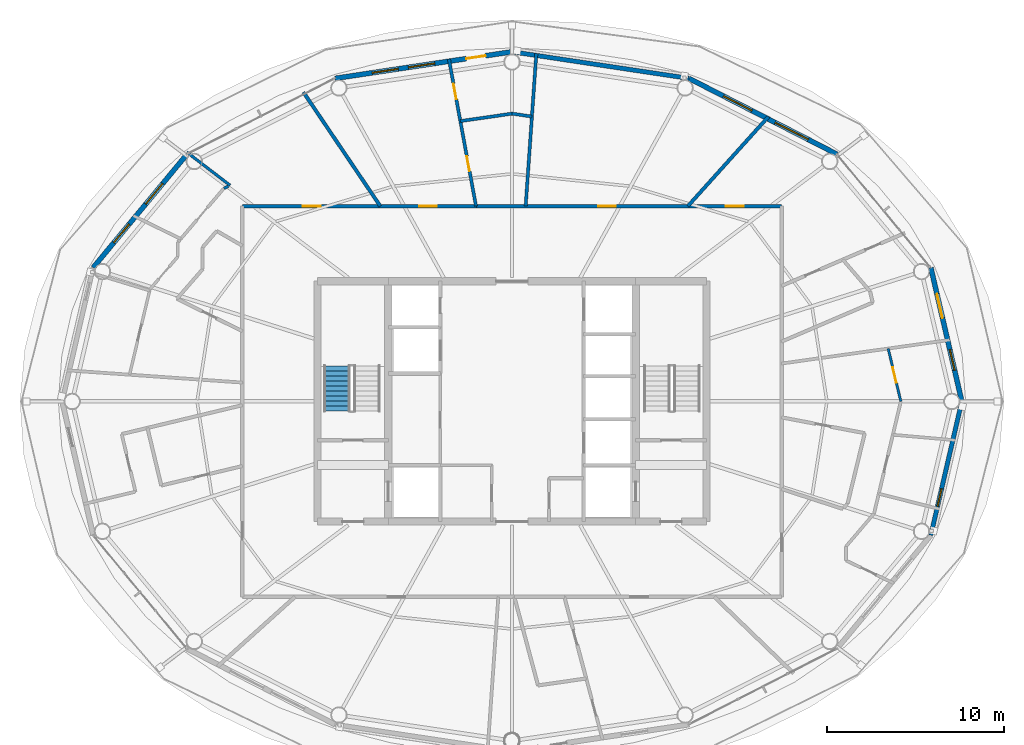
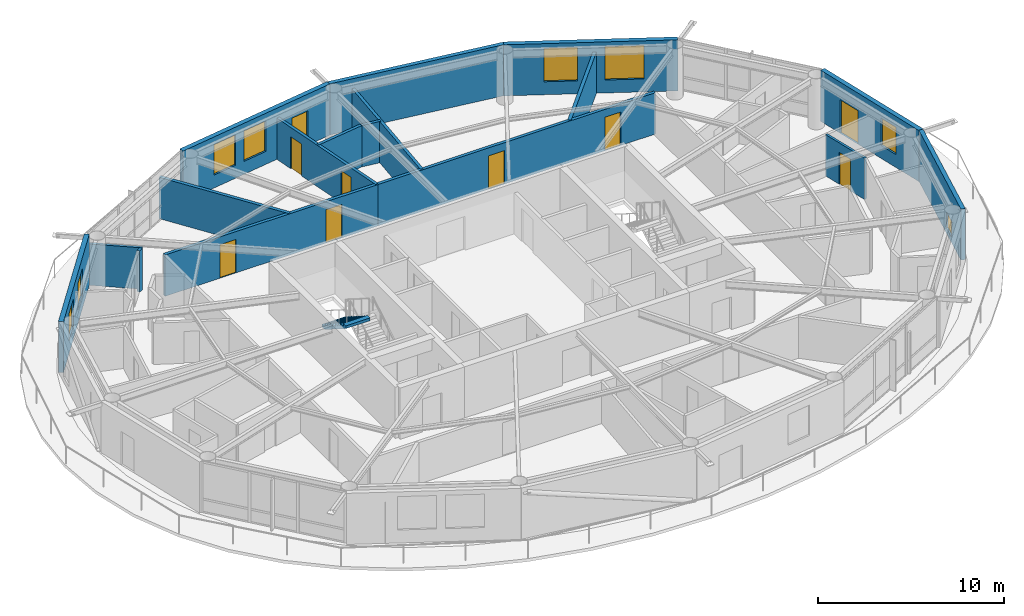
# One storey, part 18 of 22: 17 walls, 9 doors, 8 windows, 1 stair flight, 17 openings, 1 element without a shape of its own.
"""IFC4 building model written with IfcOpenShell, lengths in metres."""

from ifc_helpers import new_model, si_unit, direction, frame, frame_2d, origin, place, context, subcontext, project, spatial, polyline, rectangle, outline, extrude, material, layer, layer_set, type_object, element, fill, aggregate, save


model = new_model("IFC4")

# Units and contexts
model_context = context("Model", 3, precision=1e-05, world=origin(), true_north=direction((0.0, 1.0)))
body_context = subcontext(model_context, "Body", "Model", "MODEL_VIEW")
ifc_project = project(units=[si_unit("LENGTHUNIT", "METRE"), si_unit("AREAUNIT", "SQUARE_METRE"), si_unit("VOLUMEUNIT", "CUBIC_METRE"), si_unit("PLANEANGLEUNIT", "RADIAN"), si_unit("MASSUNIT", "GRAM", prefix="KILO")], contexts=[model_context])

# Site, building, storey
site_placement = place(None, origin())
site = spatial("IfcSite", under=ifc_project, at=site_placement, CompositionType="ELEMENT")
building_placement = place(site_placement, origin())
building = spatial("IfcBuilding", under=site, at=building_placement, Name="Sarneth Arch Tower", CompositionType="ELEMENT")
storey_placement = place(building_placement, frame((0.0, 0.0, 210.0)))
storey = spatial("IfcBuildingStorey", under=building, at=storey_placement, Name="L53", CompositionType="ELEMENT", Elevation=210.0)

# Wall, openings, doors
ifc_material_1 = material(Name="Double steel-stud corridor fire wall", Category="steel")
ifc_layer_1 = layer(ifc_material_1, 0.18994140625)
ifc_layer_set_1 = layer_set([ifc_layer_1], Name="Double steel-stud corridor fire wall")
wall_type_1 = type_object("IfcWallType", Name="WALL-CORR-190", PredefinedType="PARTITIONING", material=ifc_layer_set_1)
wall_1_placement = place(storey_placement, frame((45.931396484375, 53.050048828125, 0.0), z_axis=(0.0, 0.0, 1.0), x_axis=(1.0, 0.0, 0.0)))
wall_1 = element("IfcWall", 1, at=wall_1_placement, inside=storey, type_object=wall_type_1, Name="L53 Interior partition W-L53-TP-005", PredefinedType="PARTITIONING", context=body_context, shape_type="SweptSolid", body=[
    extrude(rectangle(XDim=17.318603515625, YDim=0.18994140625, at=frame_2d((8.6591796875, 0.0))), origin(), (0.0, 0.0, 1.0), 2.719970703125),
])
opening_1_placement = place(wall_1_placement, frame((6.93505859375, 0.0, 0.0)))
opening_1 = element("IfcOpeningElement", 2, at=opening_1_placement, cuts=wall_1, Name="Opening FD-08", PredefinedType="OPENING", context=body_context, shape_type="SweptSolid", body=[
    extrude(rectangle(XDim=1.0, YDim=2.199951171875, at=frame_2d((0.5, 1.10009765625))), frame((0.0, 0.10498046875, 0.0), z_axis=(0.0, -1.0, 0.0), x_axis=(1.0, 0.0, 0.0)), (0.0, 0.0, 1.0), 0.2099609375),
])
opening_2_placement = place(wall_1_placement, frame((14.168212890625, 0.0, 0.0)))
opening_2 = element("IfcOpeningElement", 3, at=opening_2_placement, cuts=wall_1, Name="Opening FD-08", PredefinedType="OPENING", context=body_context, shape_type="SweptSolid", body=[
    extrude(rectangle(XDim=1.0, YDim=2.199951171875, at=frame_2d((0.5, 1.10009765625))), frame((0.0, 0.10498046875, 0.0), z_axis=(0.0, -1.0, 0.0), x_axis=(1.0, 0.0, 0.0)), (0.0, 0.0, 1.0), 0.2099609375),
])
ifc_material_2 = material(Name="Hardwood timber acoustic fire door", Category="wood")
door_type_1 = type_object("IfcDoorType", Name="DR-FD60-1000", OperationType="SINGLE_SWING_LEFT", PredefinedType="DOOR", material=ifc_material_2)
door_1_placement = place(opening_1_placement, origin())
door_1 = element("IfcDoor", 4, at=door_1_placement, inside=storey, type_object=door_type_1, Name="L53 Interior door DR-L53-RAMN-02", OperationType="SINGLE_SWING_LEFT", OverallHeight=2.199951171875, OverallWidth=1.0, PredefinedType="DOOR", context=body_context, shape_type="SweptSolid", body=[
    extrude(rectangle(XDim=1.0, YDim=2.199951171875, at=frame_2d((0.5, 1.10009765625))), frame((0.0, 0.02490234375, 0.0), z_axis=(0.0, -1.0, 0.0), x_axis=(1.0, 0.0, 0.0)), (0.0, 0.0, 1.0), 0.050048828125),
])
fill(opening_1, door_1)
door_2_placement = place(opening_2_placement, origin())
door_2 = element("IfcDoor", 5, at=door_2_placement, inside=storey, type_object=door_type_1, Name="L53 Interior door DR-L53-U1-ENT", OperationType="SINGLE_SWING_LEFT", OverallHeight=2.199951171875, OverallWidth=1.0, PredefinedType="DOOR", context=body_context, shape_type="SweptSolid", body=[
    extrude(rectangle(XDim=1.0, YDim=2.199951171875, at=frame_2d((0.5, 1.10009765625))), frame((0.0, 0.02490234375, 0.0), z_axis=(0.0, -1.0, 0.0), x_axis=(1.0, 0.0, 0.0)), (0.0, 0.0, 1.0), 0.050048828125),
])
fill(opening_2, door_2)

wall_2_placement = place(storey_placement, frame((32.75, 53.050048828125, 0.0), z_axis=(0.0, 0.0, 1.0), x_axis=(1.0, 0.0, 0.0)))
wall_2 = element("IfcWall", 6, at=wall_2_placement, inside=storey, type_object=wall_type_1, Name="L53 Interior partition W-L53-TP-010", PredefinedType="PARTITIONING", context=body_context, shape_type="SweptSolid", body=[
    extrude(rectangle(XDim=13.24658203125, YDim=0.18994140625, at=frame_2d((6.623291015625, 0.0))), origin(), (0.0, 0.0, 1.0), 2.719970703125),
])
opening_3_placement = place(wall_2_placement, frame((3.41748046875, 0.0, 0.0)))
opening_3 = element("IfcOpeningElement", 7, at=opening_3_placement, cuts=wall_2, Name="Opening FD-08", PredefinedType="OPENING", context=body_context, shape_type="SweptSolid", body=[
    extrude(rectangle(XDim=1.0, YDim=2.199951171875, at=frame_2d((0.5, 1.10009765625))), frame((0.0, 0.10498046875, 0.0), z_axis=(0.0, -1.0, 0.0), x_axis=(1.0, 0.0, 0.0)), (0.0, 0.0, 1.0), 0.2099609375),
])
opening_4_placement = place(wall_2_placement, frame((10.002197265625, 0.0, 0.0)))
opening_4 = element("IfcOpeningElement", 8, at=opening_4_placement, cuts=wall_2, Name="Opening FD-08", PredefinedType="OPENING", context=body_context, shape_type="SweptSolid", body=[
    extrude(rectangle(XDim=1.0, YDim=2.199951171875, at=frame_2d((0.5, 1.10009765625))), frame((0.0, 0.10498046875, 0.0), z_axis=(0.0, -1.0, 0.0), x_axis=(1.0, 0.0, 0.0)), (0.0, 0.0, 1.0), 0.2099609375),
])
door_3_placement = place(opening_3_placement, origin())
door_3 = element("IfcDoor", 9, at=door_3_placement, inside=storey, type_object=door_type_1, Name="L53 Interior door DR-L53-U4-ENT", OperationType="SINGLE_SWING_RIGHT", OverallHeight=2.199951171875, OverallWidth=1.0, PredefinedType="DOOR", context=body_context, shape_type="SweptSolid", body=[
    extrude(rectangle(XDim=1.0, YDim=2.199951171875, at=frame_2d((0.5, 1.10009765625))), frame((0.0, 0.02490234375, 0.0), z_axis=(0.0, -1.0, 0.0), x_axis=(1.0, 0.0, 0.0)), (0.0, 0.0, 1.0), 0.050048828125),
])
fill(opening_3, door_3)
door_4_placement = place(opening_4_placement, origin())
door_4 = element("IfcDoor", 10, at=door_4_placement, inside=storey, type_object=door_type_1, Name="L53 Interior door DR-L53-U3-ENT", OperationType="SINGLE_SWING_RIGHT", OverallHeight=2.199951171875, OverallWidth=1.0, PredefinedType="DOOR", context=body_context, shape_type="SweptSolid", body=[
    extrude(rectangle(XDim=1.0, YDim=2.199951171875, at=frame_2d((0.5, 1.10009765625))), frame((0.0, 0.02490234375, 0.0), z_axis=(0.0, -1.0, 0.0), x_axis=(1.0, 0.0, 0.0)), (0.0, 0.0, 1.0), 0.050048828125),
])
fill(opening_4, door_4)

# Wall
ifc_material_3 = material(Name="Extruded terracotta rainscreen on Concrete C40/50 backing", Category="masonry")
ifc_layer_2 = layer(ifc_material_3, 0.25)
ifc_layer_set_2 = layer_set([ifc_layer_2], Name="Extruded terracotta rainscreen on Concrete C40/50 backing")
wall_type_2 = type_object("IfcWallType", Name="WALL-EXT-SPAND-250", PredefinedType="SOLIDWALL", material=ifc_layer_set_2)
wall_3_placement = place(storey_placement, frame((58.0126953125, 60.2744140625, 0.0), z_axis=(0.0, 0.0, 1.0), x_axis=(-0.988882522213, 0.148698881169, 0.0)))
element("IfcWall", 11, at=wall_3_placement, inside=storey, type_object=wall_type_2, Name="L53 Terracotta perimeter wall 04", PredefinedType="SOLIDWALL", context=body_context, shape_type="SweptSolid", body=[
    extrude(rectangle(XDim=10.125244140625, YDim=0.25, at=frame_2d((5.0625, 0.0))), origin(), (0.0, 0.0, 1.0), 3.360107421875),
])

# Wall, opening, window
wall_4_placement = place(storey_placement, frame((71.69384765625, 34.430419921875, 0.0), z_axis=(0.0, 0.0, 1.0), x_axis=(0.225635078214, 0.974211892495, 0.0)))
wall_4 = element("IfcWall", 12, at=wall_4_placement, inside=storey, type_object=wall_type_2, Name="L53 Terracotta perimeter wall 16", PredefinedType="SOLIDWALL", context=body_context, shape_type="SweptSolid", body=[
    extrude(rectangle(XDim=7.77001953125, YDim=0.25, at=frame_2d((3.885009765625, 0.0))), origin(), (0.0, 0.0, 1.0), 3.360107421875),
])
opening_5_placement = place(wall_4_placement, frame((1.6953125, 0.0, 0.35009765625)))
opening_5 = element("IfcOpeningElement", 13, at=opening_5_placement, cuts=wall_4, Name="Opening W-14", PredefinedType="OPENING", context=body_context, shape_type="SweptSolid", body=[
    extrude(rectangle(XDim=1.0, YDim=1.050048828125, at=frame_2d((0.5, 0.52490234375))), frame((0.0, 0.135009765625, 0.0), z_axis=(0.0, -1.0, 0.0), x_axis=(1.0, 0.0, 0.0)), (0.0, 0.0, 1.0), 0.27001953125),
])
ifc_material_4 = material(Name="Thermally broken Aluminium 6063-T6 and low-e laminated IGU", Category="aluminium")
window_type_1 = type_object("IfcWindowType", Name="WIN-TWR-1000x1050", PartitioningType="SINGLE_PANEL", PredefinedType="WINDOW", material=ifc_material_4)
window_1_placement = place(opening_5_placement, origin())
window_1 = element("IfcWindow", 14, at=window_1_placement, inside=storey, type_object=window_type_1, Name="L53 Dwelling bedroom window 02", OverallHeight=1.050048828125, OverallWidth=1.0, PartitioningType="SINGLE_PANEL", PredefinedType="WINDOW", context=body_context, shape_type="SweptSolid", body=[
    extrude(rectangle(XDim=1.0, YDim=1.050048828125, at=frame_2d((0.5, 0.52490234375))), frame((0.0, 0.030029296875, 0.0), z_axis=(0.0, -1.0, 0.0), x_axis=(1.0, 0.0, 0.0)), (0.0, 0.0, 1.0), 0.06005859375),
])
fill(opening_5, window_1)

# Wall, openings, door, window
ifc_material_5 = material(Name="Extruded terracotta rainscreen on Concrete C40/50 backing", Category="masonry")
ifc_layer_3 = layer(ifc_material_5, 0.280029296875)
ifc_layer_set_3 = layer_set([ifc_layer_3], Name="Extruded terracotta rainscreen on Concrete C40/50 backing")
wall_type_3 = type_object("IfcWallType", Name="WALL-EXT-TERRA-280", PredefinedType="SOLIDWALL", material=ifc_layer_set_3)
wall_5_placement = place(storey_placement, frame((73.447021484375, 42.0, 0.0), z_axis=(0.0, 0.0, 1.0), x_axis=(-0.225635078214, 0.974211892495, 0.0)))
wall_5 = element("IfcWall", 15, at=wall_5_placement, inside=storey, type_object=wall_type_3, Name="L53 Terracotta perimeter wall 01", PredefinedType="SOLIDWALL", context=body_context, shape_type="SweptSolid", body=[
    extrude(rectangle(XDim=7.77001953125, YDim=0.280029296875, at=frame_2d((3.885009765625, 0.0))), origin(), (0.0, 0.0, 1.0), 3.360107421875),
])
opening_6_placement = place(wall_5_placement, frame((1.81103515625, 0.0, 0.85009765625)))
opening_6 = element("IfcOpeningElement", 16, at=opening_6_placement, cuts=wall_5, Name="Opening W-09", PredefinedType="OPENING", context=body_context, shape_type="SweptSolid", body=[
    extrude(rectangle(XDim=1.199951171875, YDim=1.800048828125, at=frame_2d((0.60009765625, 0.89990234375))), frame((0.0, 0.14990234375, 0.0), z_axis=(0.0, -1.0, 0.0), x_axis=(1.0, 0.0, 0.0)), (0.0, 0.0, 1.0), 0.300048828125),
])
opening_7_placement = place(wall_5_placement, frame((4.842041015625, 0.0, 0.0)))
opening_7 = element("IfcOpeningElement", 17, at=opening_7_placement, cuts=wall_5, Name="Opening BD-2", PredefinedType="OPENING", context=body_context, shape_type="SweptSolid", body=[
    extrude(rectangle(XDim=1.39990234375, YDim=2.199951171875, at=frame_2d((0.699951171875, 1.10009765625))), frame((0.0, 0.14990234375, 0.0), z_axis=(0.0, -1.0, 0.0), x_axis=(1.0, 0.0, 0.0)), (0.0, 0.0, 1.0), 0.300048828125),
])
ifc_material_6 = material(Name="Thermally broken Aluminium 6063-T6 and laminated safety glass", Category="aluminium")
door_type_2 = type_object("IfcDoorType", Name="DR-BALC-GLZ-1400", OperationType="SINGLE_SWING_LEFT", PredefinedType="DOOR", material=ifc_material_6)
door_5_placement = place(opening_7_placement, origin())
door_5 = element("IfcDoor", 18, at=door_5_placement, inside=storey, type_object=door_type_2, Name="L53 Balcony glazed door 01", OperationType="SINGLE_SWING_LEFT", OverallHeight=2.199951171875, OverallWidth=1.39990234375, PredefinedType="DOOR", context=body_context, shape_type="SweptSolid", body=[
    extrude(rectangle(XDim=1.39990234375, YDim=2.199951171875, at=frame_2d((0.699951171875, 1.10009765625))), frame((0.0, 0.02490234375, 0.0), z_axis=(0.0, -1.0, 0.0), x_axis=(1.0, 0.0, 0.0)), (0.0, 0.0, 1.0), 0.050048828125),
])
fill(opening_7, door_5)
ifc_material_7 = material(Name="Thermally broken Aluminium 6063-T6 and low-e laminated IGU", Category="aluminium")
window_type_2 = type_object("IfcWindowType", Name="WIN-TWR-1200x1800", PartitioningType="SINGLE_PANEL", PredefinedType="WINDOW", material=ifc_material_7)
window_2_placement = place(opening_6_placement, origin())
window_2 = element("IfcWindow", 19, at=window_2_placement, inside=storey, type_object=window_type_2, Name="L53 Exterior window 01A", OverallHeight=1.800048828125, OverallWidth=1.199951171875, PartitioningType="SINGLE_PANEL", PredefinedType="WINDOW", context=body_context, shape_type="SweptSolid", body=[
    extrude(rectangle(XDim=1.199951171875, YDim=1.800048828125, at=frame_2d((0.60009765625, 0.89990234375))), frame((0.0, 0.030029296875, 0.0), z_axis=(0.0, -1.0, 0.0), x_axis=(1.0, 0.0, 0.0)), (0.0, 0.0, 1.0), 0.06005859375),
])
fill(opening_6, window_2)

# Wall, openings, windows
wall_6_placement = place(storey_placement, frame((66.382568359375, 55.986572265625, 0.0), z_axis=(0.0, 0.0, 1.0), x_axis=(-0.890007394051, 0.455946091699, 0.0)))
wall_6 = element("IfcWall", 20, at=wall_6_placement, inside=storey, type_object=wall_type_3, Name="L53 Terracotta perimeter wall 03", PredefinedType="SOLIDWALL", context=body_context, shape_type="SweptSolid", body=[
    extrude(rectangle(XDim=9.404296875, YDim=0.280029296875, at=frame_2d((4.7021484375, 0.0))), origin(), (0.0, 0.0, 1.0), 3.360107421875),
])
opening_8_placement = place(wall_6_placement, frame((1.822998046875, 0.0, 0.85009765625)))
opening_8 = element("IfcOpeningElement", 21, at=opening_8_placement, cuts=wall_6, Name="Opening W-03", PredefinedType="OPENING", context=body_context, shape_type="SweptSolid", body=[
    extrude(rectangle(XDim=2.10009765625, YDim=2.199951171875, at=frame_2d((1.050048828125, 1.10009765625))), frame((0.0, 0.14990234375, 0.0), z_axis=(0.0, -1.0, 0.0), x_axis=(1.0, 0.0, 0.0)), (0.0, 0.0, 1.0), 0.300048828125),
])
opening_9_placement = place(wall_6_placement, frame((5.413818359375, 0.0, 0.85009765625)))
opening_9 = element("IfcOpeningElement", 22, at=opening_9_placement, cuts=wall_6, Name="Opening W-04", PredefinedType="OPENING", context=body_context, shape_type="SweptSolid", body=[
    extrude(rectangle(XDim=1.800048828125, YDim=2.199951171875, at=frame_2d((0.89990234375, 1.10009765625))), frame((0.0, 0.14990234375, 0.0), z_axis=(0.0, -1.0, 0.0), x_axis=(1.0, 0.0, 0.0)), (0.0, 0.0, 1.0), 0.300048828125),
])
ifc_material_8 = material(Name="Thermally broken Aluminium 6063-T6 and low-e laminated IGU", Category="aluminium")
window_type_3 = type_object("IfcWindowType", Name="WIN-TWR-1800x2200", PartitioningType="DOUBLE_PANEL_VERTICAL", PredefinedType="WINDOW", material=ifc_material_8)
window_3_placement = place(opening_9_placement, origin())
window_3 = element("IfcWindow", 23, at=window_3_placement, inside=storey, type_object=window_type_3, Name="L53 Exterior window 03B", OverallHeight=2.199951171875, OverallWidth=1.800048828125, PartitioningType="SINGLE_PANEL", PredefinedType="WINDOW", context=body_context, shape_type="SweptSolid", body=[
    extrude(rectangle(XDim=1.800048828125, YDim=2.199951171875, at=frame_2d((0.89990234375, 1.10009765625))), frame((0.0, 0.030029296875, 0.0), z_axis=(0.0, -1.0, 0.0), x_axis=(1.0, 0.0, 0.0)), (0.0, 0.0, 1.0), 0.06005859375),
])
fill(opening_9, window_3)
ifc_material_9 = material(Name="Thermally broken Aluminium 6063-T6 and low-e laminated IGU", Category="aluminium")
window_type_4 = type_object("IfcWindowType", Name="WIN-TWR-2100x2200", PartitioningType="DOUBLE_PANEL_VERTICAL", PredefinedType="WINDOW", material=ifc_material_9)
window_4_placement = place(opening_8_placement, origin())
window_4 = element("IfcWindow", 24, at=window_4_placement, inside=storey, type_object=window_type_4, Name="L53 Exterior window 03A", OverallHeight=2.199951171875, OverallWidth=2.10009765625, PartitioningType="SINGLE_PANEL", PredefinedType="WINDOW", context=body_context, shape_type="SweptSolid", body=[
    extrude(rectangle(XDim=2.10009765625, YDim=2.199951171875, at=frame_2d((1.050048828125, 1.10009765625))), frame((0.0, 0.030029296875, 0.0), z_axis=(0.0, -1.0, 0.0), x_axis=(1.0, 0.0, 0.0)), (0.0, 0.0, 1.0), 0.06005859375),
])
fill(opening_8, window_4)

# Wall, openings, door, windows
wall_7_placement = place(storey_placement, frame((48.0, 61.780029296875, 0.0), z_axis=(0.0, 0.0, 1.0), x_axis=(-0.988882522213, -0.148698881169, 0.0)))
wall_7 = element("IfcWall", 25, at=wall_7_placement, inside=storey, type_object=wall_type_3, Name="L53 Terracotta perimeter wall 05", PredefinedType="SOLIDWALL", context=body_context, shape_type="SweptSolid", body=[
    extrude(rectangle(XDim=10.125244140625, YDim=0.280029296875, at=frame_2d((5.0625, 0.0))), origin(), (0.0, 0.0, 1.0), 3.360107421875),
])
opening_10_placement = place(wall_7_placement, frame((1.51611328125, 0.0, 0.0)))
opening_10 = element("IfcOpeningElement", 26, at=opening_10_placement, cuts=wall_7, Name="Opening BD-3", PredefinedType="OPENING", context=body_context, shape_type="SweptSolid", body=[
    extrude(rectangle(XDim=1.10009765625, YDim=2.25, at=frame_2d((0.550048828125, 1.125))), frame((0.0, 0.14990234375, 0.0), z_axis=(0.0, -1.0, 0.0), x_axis=(1.0, 0.0, 0.0)), (0.0, 0.0, 1.0), 0.300048828125),
])
opening_11_placement = place(wall_7_placement, frame((4.422119140625, 0.0, 0.85009765625)))
opening_11 = element("IfcOpeningElement", 27, at=opening_11_placement, cuts=wall_7, Name="Opening W-06", PredefinedType="OPENING", context=body_context, shape_type="SweptSolid", body=[
    extrude(rectangle(XDim=1.5, YDim=2.0, at=frame_2d((0.75, 1.0))), frame((0.0, 0.14990234375, 0.0), z_axis=(0.0, -1.0, 0.0), x_axis=(1.0, 0.0, 0.0)), (0.0, 0.0, 1.0), 0.300048828125),
])
opening_12_placement = place(wall_7_placement, frame((6.50390625, 0.0, 0.85009765625)))
opening_12 = element("IfcOpeningElement", 28, at=opening_12_placement, cuts=wall_7, Name="Opening W-06", PredefinedType="OPENING", context=body_context, shape_type="SweptSolid", body=[
    extrude(rectangle(XDim=1.5, YDim=2.0, at=frame_2d((0.75, 1.0))), frame((0.0, 0.14990234375, 0.0), z_axis=(0.0, -1.0, 0.0), x_axis=(1.0, 0.0, 0.0)), (0.0, 0.0, 1.0), 0.300048828125),
])
ifc_material_10 = material(Name="Thermally broken Aluminium 6063-T6 and laminated safety glass", Category="aluminium")
door_type_3 = type_object("IfcDoorType", Name="DR-BALC-GLZ-1100", OperationType="SINGLE_SWING_LEFT", PredefinedType="DOOR", material=ifc_material_10)
door_6_placement = place(opening_10_placement, origin())
door_6 = element("IfcDoor", 29, at=door_6_placement, inside=storey, type_object=door_type_3, Name="L53 Balcony glazed door 05", OperationType="SINGLE_SWING_LEFT", OverallHeight=2.25, OverallWidth=1.10009765625, PredefinedType="DOOR", context=body_context, shape_type="SweptSolid", body=[
    extrude(rectangle(XDim=1.10009765625, YDim=2.25, at=frame_2d((0.550048828125, 1.125))), frame((0.0, 0.02490234375, 0.0), z_axis=(0.0, -1.0, 0.0), x_axis=(1.0, 0.0, 0.0)), (0.0, 0.0, 1.0), 0.050048828125),
])
fill(opening_10, door_6)
ifc_material_11 = material(Name="Thermally broken Aluminium 6063-T6 and low-e laminated IGU", Category="aluminium")
window_type_5 = type_object("IfcWindowType", Name="WIN-TWR-1500x2000", PartitioningType="SINGLE_PANEL", PredefinedType="WINDOW", material=ifc_material_11)
window_5_placement = place(opening_11_placement, origin())
window_5 = element("IfcWindow", 30, at=window_5_placement, inside=storey, type_object=window_type_5, Name="L53 Exterior window 05A", OverallHeight=2.0, OverallWidth=1.5, PartitioningType="SINGLE_PANEL", PredefinedType="WINDOW", context=body_context, shape_type="SweptSolid", body=[
    extrude(rectangle(XDim=1.5, YDim=2.0, at=frame_2d((0.75, 1.0))), frame((0.0, 0.030029296875, 0.0), z_axis=(0.0, -1.0, 0.0), x_axis=(1.0, 0.0, 0.0)), (0.0, 0.0, 1.0), 0.06005859375),
])
fill(opening_11, window_5)
window_6_placement = place(opening_12_placement, origin())
window_6 = element("IfcWindow", 31, at=window_6_placement, inside=storey, type_object=window_type_5, Name="L53 Exterior window 05B", OverallHeight=2.0, OverallWidth=1.5, PartitioningType="SINGLE_PANEL", PredefinedType="WINDOW", context=body_context, shape_type="SweptSolid", body=[
    extrude(rectangle(XDim=1.5, YDim=2.0, at=frame_2d((0.75, 1.0))), frame((0.0, 0.030029296875, 0.0), z_axis=(0.0, -1.0, 0.0), x_axis=(1.0, 0.0, 0.0)), (0.0, 0.0, 1.0), 0.06005859375),
])
fill(opening_12, window_6)

# Wall, openings, windows
wall_8_placement = place(storey_placement, frame((29.617431640625, 55.986572265625, 0.0), z_axis=(0.0, 0.0, 1.0), x_axis=(-0.63761509934, -0.770355103243, 0.0)))
wall_8 = element("IfcWall", 32, at=wall_8_placement, inside=storey, type_object=wall_type_3, Name="L53 Terracotta perimeter wall 07", PredefinedType="SOLIDWALL", context=body_context, shape_type="SweptSolid", body=[
    extrude(rectangle(XDim=8.329833984375, YDim=0.280029296875, at=frame_2d((4.1650390625, 0.0))), origin(), (0.0, 0.0, 1.0), 3.360107421875),
])
opening_13_placement = place(wall_8_placement, frame((2.16162109375, 0.0, 0.85009765625)))
opening_13 = element("IfcOpeningElement", 33, at=opening_13_placement, cuts=wall_8, Name="Opening W-07", PredefinedType="OPENING", context=body_context, shape_type="SweptSolid", body=[
    extrude(rectangle(XDim=1.5, YDim=1.800048828125, at=frame_2d((0.75, 0.89990234375))), frame((0.0, 0.14990234375, 0.0), z_axis=(0.0, -1.0, 0.0), x_axis=(1.0, 0.0, 0.0)), (0.0, 0.0, 1.0), 0.300048828125),
])
opening_14_placement = place(wall_8_placement, frame((5.1416015625, 0.0, 0.85009765625)))
opening_14 = element("IfcOpeningElement", 34, at=opening_14_placement, cuts=wall_8, Name="Opening W-08", PredefinedType="OPENING", context=body_context, shape_type="SweptSolid", body=[
    extrude(rectangle(XDim=1.35009765625, YDim=1.800048828125, at=frame_2d((0.675048828125, 0.89990234375))), frame((0.0, 0.14990234375, 0.0), z_axis=(0.0, -1.0, 0.0), x_axis=(1.0, 0.0, 0.0)), (0.0, 0.0, 1.0), 0.300048828125),
])
ifc_material_12 = material(Name="Thermally broken Aluminium 6063-T6 and low-e laminated IGU", Category="aluminium")
window_type_6 = type_object("IfcWindowType", Name="WIN-TWR-1350x1800", PartitioningType="SINGLE_PANEL", PredefinedType="WINDOW", material=ifc_material_12)
window_7_placement = place(opening_14_placement, origin())
window_7 = element("IfcWindow", 35, at=window_7_placement, inside=storey, type_object=window_type_6, Name="L53 Exterior window 07B", OverallHeight=1.800048828125, OverallWidth=1.35009765625, PartitioningType="SINGLE_PANEL", PredefinedType="WINDOW", context=body_context, shape_type="SweptSolid", body=[
    extrude(rectangle(XDim=1.35009765625, YDim=1.800048828125, at=frame_2d((0.675048828125, 0.89990234375))), frame((0.0, 0.030029296875, 0.0), z_axis=(0.0, -1.0, 0.0), x_axis=(1.0, 0.0, 0.0)), (0.0, 0.0, 1.0), 0.06005859375),
])
fill(opening_14, window_7)
ifc_material_13 = material(Name="Thermally broken Aluminium 6063-T6 and low-e laminated IGU", Category="aluminium")
window_type_7 = type_object("IfcWindowType", Name="WIN-TWR-1500x1800", PartitioningType="SINGLE_PANEL", PredefinedType="WINDOW", material=ifc_material_13)
window_8_placement = place(opening_13_placement, origin())
window_8 = element("IfcWindow", 36, at=window_8_placement, inside=storey, type_object=window_type_7, Name="L53 Exterior window 07A", OverallHeight=1.800048828125, OverallWidth=1.5, PartitioningType="SINGLE_PANEL", PredefinedType="WINDOW", context=body_context, shape_type="SweptSolid", body=[
    extrude(rectangle(XDim=1.5, YDim=1.800048828125, at=frame_2d((0.75, 0.89990234375))), frame((0.0, 0.030029296875, 0.0), z_axis=(0.0, -1.0, 0.0), x_axis=(1.0, 0.0, 0.0)), (0.0, 0.0, 1.0), 0.06005859375),
])
fill(opening_13, window_8)

# Wall, opening, door
ifc_material_14 = material(Name="Apartment internal stud partition", Category="gypsum")
ifc_layer_4 = layer(ifc_material_14, 0.139892578125)
ifc_layer_set_4 = layer_set([ifc_layer_4], Name="Apartment internal stud partition")
wall_type_4 = type_object("IfcWallType", Name="WALL-PART-140", PredefinedType="PARTITIONING", material=ifc_layer_set_4)
wall_9_placement = place(storey_placement, frame((69.996337890625, 42.0, 0.0), z_axis=(0.0, 0.0, 1.0), x_axis=(-0.23230382896, 0.972643270192, 0.0)))
wall_9 = element("IfcWall", 37, at=wall_9_placement, inside=storey, type_object=wall_type_4, Name="L53 Interior partition W-L53-TP-078", PredefinedType="PARTITIONING", context=body_context, shape_type="SweptSolid", body=[
    extrude(rectangle(XDim=3.0751953125, YDim=0.139892578125, at=frame_2d((1.53759765625, 0.0))), origin(), (0.0, 0.0, 1.0), 2.719970703125),
])
opening_15_placement = place(wall_9_placement, frame((1.087646484375, 0.0, 0.0)))
opening_15 = element("IfcOpeningElement", 38, at=opening_15_placement, cuts=wall_9, Name="Opening ID-01", PredefinedType="OPENING", context=body_context, shape_type="SweptSolid", body=[
    extrude(rectangle(XDim=0.89990234375, YDim=2.10009765625, at=frame_2d((0.449951171875, 1.050048828125))), frame((0.0, 0.079833984375, 0.0), z_axis=(0.0, -1.0, 0.0), x_axis=(1.0, 0.0, 0.0)), (0.0, 0.0, 1.0), 0.159912109375),
])
ifc_material_15 = material(Name="Engineered hardwood flush door", Category="wood")
door_type_4 = type_object("IfcDoorType", Name="DR-INT-900", OperationType="SINGLE_SWING_LEFT", PredefinedType="DOOR", material=ifc_material_15)
door_7_placement = place(opening_15_placement, origin())
door_7 = element("IfcDoor", 39, at=door_7_placement, inside=storey, type_object=door_type_4, Name="L53 Interior door DR-L53-U8-BED2", OperationType="SINGLE_SWING_LEFT", OverallHeight=2.10009765625, OverallWidth=0.89990234375, PredefinedType="DOOR", context=body_context, shape_type="SweptSolid", body=[
    extrude(rectangle(XDim=0.89990234375, YDim=2.10009765625, at=frame_2d((0.449951171875, 1.050048828125))), frame((0.0, 0.02490234375, 0.0), z_axis=(0.0, -1.0, 0.0), x_axis=(1.0, 0.0, 0.0)), (0.0, 0.0, 1.0), 0.050048828125),
])
fill(opening_15, door_7)

# Walls
ifc_material_16 = material(Name="Kitchen wet service chase wall", Category="gypsum")
ifc_layer_5 = layer(ifc_material_16, 0.159912109375)
ifc_layer_set_5 = layer_set([ifc_layer_5], Name="Kitchen wet service chase wall")
wall_type_5 = type_object("IfcWallType", Name="WALL-PLUMB-160", PredefinedType="PLUMBINGWALL", material=ifc_layer_set_5)
wall_10_placement = place(storey_placement, frame((29.6025390625, 56.1005859375, 0.0), z_axis=(0.0, 0.0, 1.0), x_axis=(0.793701828105, -0.608307001491, 0.0)))
element("IfcWall", 40, at=wall_10_placement, inside=storey, type_object=wall_type_5, Name="L53 Interior partition W-L53-TP-039", PredefinedType="PLUMBINGWALL", context=body_context, shape_type="SweptSolid", body=[
    extrude(rectangle(XDim=3.086669921875, YDim=0.159912109375, at=frame_2d((1.54345703125, 0.0))), origin(), (0.0, 0.0, 1.0), 2.719970703125),
])
wall_11_placement = place(storey_placement, frame((31.9521484375, 54.1728515625, 0.0), z_axis=(0.0, 0.0, 1.0), x_axis=(-0.895316278345, -0.445430984251, 0.0)))
element("IfcWall", 41, at=wall_11_placement, inside=storey, type_object=wall_type_5, Name="L53 Interior partition W-L53-TP-040", PredefinedType="PLUMBINGWALL", context=body_context, shape_type="SweptSolid", body=[
    extrude(rectangle(XDim=0.274169921875, YDim=0.159912109375, at=frame_2d((0.13720703125, 0.0))), origin(), (0.0, 0.0, 1.0), 2.719970703125),
])
ifc_material_17 = material(Name="Moisture-resistant plumbing chase wall", Category="gypsum")
ifc_layer_6 = layer(ifc_material_17, 0.179931640625)
ifc_layer_set_6 = layer_set([ifc_layer_6], Name="Moisture-resistant plumbing chase wall")
wall_type_6 = type_object("IfcWallType", Name="WALL-PLUMB-180", PredefinedType="PLUMBINGWALL", material=ifc_layer_set_6)
wall_12_placement = place(storey_placement, frame((48.772705078125, 53.050048828125, 0.0), z_axis=(0.0, 0.0, 1.0), x_axis=(0.069763237321, 0.997563577281, 0.0)))
element("IfcWall", 42, at=wall_12_placement, inside=storey, type_object=wall_type_6, Name="L53 Interior partition W-L53-TP-032", PredefinedType="PLUMBINGWALL", context=body_context, shape_type="SweptSolid", body=[
    extrude(rectangle(XDim=8.664794921875, YDim=0.179931640625, at=frame_2d((4.33251953125, 0.0))), origin(), (0.0, 0.0, 1.0), 2.719970703125),
])

# Wall, openings, doors
wall_13_placement = place(storey_placement, frame((45.964111328125, 53.050048828125, 0.0), z_axis=(0.0, 0.0, 1.0), x_axis=(-0.181227840828, 0.983441136881, 0.0)))
wall_13 = element("IfcWall", 43, at=wall_13_placement, inside=storey, type_object=wall_type_6, Name="L53 Interior partition W-L53-TP-034", PredefinedType="PLUMBINGWALL", context=body_context, shape_type="SweptSolid", body=[
    extrude(rectangle(XDim=8.45458984375, YDim=0.179931640625, at=frame_2d((4.227294921875, 0.0))), origin(), (0.0, 0.0, 1.0), 2.719970703125),
])
opening_16_placement = place(wall_13_placement, frame((2.01904296875, 0.0, 0.0)))
opening_16 = element("IfcOpeningElement", 44, at=opening_16_placement, cuts=wall_13, Name="Opening ID-02", PredefinedType="OPENING", context=body_context, shape_type="SweptSolid", body=[
    extrude(rectangle(XDim=0.85009765625, YDim=2.10009765625, at=frame_2d((0.425048828125, 1.050048828125))), frame((0.0, 0.099853515625, 0.0), z_axis=(0.0, -1.0, 0.0), x_axis=(1.0, 0.0, 0.0)), (0.0, 0.0, 1.0), 0.199951171875),
])
opening_17_placement = place(wall_13_placement, frame((6.145263671875, 0.0, 0.0)))
opening_17 = element("IfcOpeningElement", 45, at=opening_17_placement, cuts=wall_13, Name="Opening ID-01", PredefinedType="OPENING", context=body_context, shape_type="SweptSolid", body=[
    extrude(rectangle(XDim=0.89990234375, YDim=2.10009765625, at=frame_2d((0.449951171875, 1.050048828125))), frame((0.0, 0.099853515625, 0.0), z_axis=(0.0, -1.0, 0.0), x_axis=(1.0, 0.0, 0.0)), (0.0, 0.0, 1.0), 0.199951171875),
])
ifc_material_18 = material(Name="Moisture-resistant bathroom timber door", Category="wood")
door_type_5 = type_object("IfcDoorType", Name="DR-INT-850", OperationType="SINGLE_SWING_RIGHT", PredefinedType="DOOR", material=ifc_material_18)
door_8_placement = place(opening_16_placement, origin())
door_8 = element("IfcDoor", 46, at=door_8_placement, inside=storey, type_object=door_type_5, Name="L53 Interior door DR-L53-U3-BATH", OperationType="SINGLE_SWING_RIGHT", OverallHeight=2.10009765625, OverallWidth=0.85009765625, PredefinedType="DOOR", context=body_context, shape_type="SweptSolid", body=[
    extrude(rectangle(XDim=0.85009765625, YDim=2.10009765625, at=frame_2d((0.425048828125, 1.050048828125))), frame((0.0, 0.02490234375, 0.0), z_axis=(0.0, -1.0, 0.0), x_axis=(1.0, 0.0, 0.0)), (0.0, 0.0, 1.0), 0.050048828125),
])
fill(opening_16, door_8)
door_9_placement = place(opening_17_placement, origin())
door_9 = element("IfcDoor", 47, at=door_9_placement, inside=storey, type_object=door_type_4, Name="L53 Interior door DR-L53-U3-KIT", OperationType="SINGLE_SWING_LEFT", OverallHeight=2.10009765625, OverallWidth=0.89990234375, PredefinedType="DOOR", context=body_context, shape_type="SweptSolid", body=[
    extrude(rectangle(XDim=0.89990234375, YDim=2.10009765625, at=frame_2d((0.449951171875, 1.050048828125))), frame((0.0, 0.02490234375, 0.0), z_axis=(0.0, -1.0, 0.0), x_axis=(1.0, 0.0, 0.0)), (0.0, 0.0, 1.0), 0.050048828125),
])
fill(opening_17, door_9)

# Walls
wall_14_placement = place(storey_placement, frame((45.078125, 57.85693359375, 0.0), z_axis=(0.0, 0.0, 1.0), x_axis=(0.989678113628, 0.143308169361, 0.0)))
element("IfcWall", 48, at=wall_14_placement, inside=storey, type_object=wall_type_6, Name="L53 Interior partition W-L53-TP-037", PredefinedType="PLUMBINGWALL", context=body_context, shape_type="SweptSolid", body=[
    extrude(rectangle(XDim=2.952392578125, YDim=0.179931640625, at=frame_2d((1.47607421875, 0.0))), origin(), (0.0, 0.0, 1.0), 2.719970703125),
])
wall_15_placement = place(storey_placement, frame((48.0, 58.280029296875, 0.0), z_axis=(0.0, 0.0, 1.0), x_axis=(0.989660157939, -0.143432115611, 0.0)))
element("IfcWall", 49, at=wall_15_placement, inside=storey, type_object=wall_type_6, Name="L53 Interior partition W-L53-TP-038", PredefinedType="PLUMBINGWALL", context=body_context, shape_type="SweptSolid", body=[
    extrude(rectangle(XDim=1.138671875, YDim=0.179931640625, at=frame_2d((0.5693359375, 0.0))), origin(), (0.0, 0.0, 1.0), 2.719970703125),
])
ifc_material_19 = material(Name="Double steel-stud acoustic drywall", Category="steel")
ifc_layer_7 = layer(ifc_material_19, 0.199951171875)
ifc_layer_set_7 = layer_set([ifc_layer_7], Name="Double steel-stud acoustic drywall")
wall_type_7 = type_object("IfcWallType", Name="WALL-UNIT-200", PredefinedType="PARTITIONING", material=ifc_layer_set_7)
wall_16_placement = place(storey_placement, frame((40.546630859375, 53.050048828125, 0.0), z_axis=(0.0, 0.0, 1.0), x_axis=(-0.559208454265, 0.8290270832, 0.0)))
element("IfcWall", 50, at=wall_16_placement, inside=storey, type_object=wall_type_7, Name="L53 Interior partition W-L53-TP-036", PredefinedType="PARTITIONING", context=body_context, shape_type="SweptSolid", body=[
    extrude(rectangle(XDim=7.771484375, YDim=0.199951171875, at=frame_2d((3.8857421875, 0.0))), origin(), (0.0, 0.0, 1.0), 2.719970703125),
])
wall_17_placement = place(storey_placement, frame((57.949462890625, 53.050048828125, 0.0), z_axis=(0.0, 0.0, 1.0), x_axis=(0.66913524162, 0.743140651844, 0.0)))
element("IfcWall", 51, at=wall_17_placement, inside=storey, type_object=wall_type_7, Name="L53 Interior partition W-L53-TP-026", PredefinedType="PARTITIONING", context=body_context, shape_type="SweptSolid", body=[
    extrude(rectangle(XDim=6.802490234375, YDim=0.199951171875, at=frame_2d((3.4013671875, 0.0))), origin(), (0.0, 0.0, 1.0), 2.719970703125),
])

# Stair, stair flight
ifc_material_20 = material(Name="Concrete C50/60", Category="concrete")
stair_type = type_object("IfcStairType", Name="STAIR-CORE-RC", PredefinedType="HALF_TURN_STAIR", material=ifc_material_20)
stair_placement = place(storey_placement, origin())
stair = element("IfcStair", 52, at=stair_placement, inside=storey, type_object=stair_type, Name="L53 Core Exit Stair 1", PredefinedType="HALF_TURN_STAIR")
ifc_material_21 = material(Name="Concrete C50/60", Category="concrete")
stair_flight_type = type_object("IfcStairFlightType", Name="FLIGHT-RC-1500", PredefinedType="STRAIGHT", material=ifc_material_21)
stair_flight_placement = place(storey_placement, frame((38.10009765625, 44.014892578125, 1.800048828125), z_axis=(0.0, 0.0, 1.0), x_axis=(0.0, -1.0, 0.0)))
stair_flight = element("IfcStairFlight", 53, at=stair_flight_placement, type_object=stair_flight_type, Name="ST-1 flight 2", NumberOfRisers=10, NumberOfTreads=9, PredefinedType="STRAIGHT", RiserHeight=0.18, TreadLength=0.285, context=body_context, shape_type="SweptSolid", body=[
    extrude(outline(polyline([(0.0, 0.0), (0.0, 0.179931640625), (0.284912109375, 0.179931640625), (0.284912109375, 0.360107421875), (0.570068359375, 0.360107421875), (0.570068359375, 0.5400390625), (0.85498046875, 0.5400390625), (0.85498046875, 0.719970703125), (1.139892578125, 0.719970703125), (1.139892578125, 0.89990234375), (1.425048828125, 0.89990234375), (1.425048828125, 1.080078125), (1.7099609375, 1.080078125), (1.7099609375, 1.260009765625), (1.9951171875, 1.260009765625), (1.9951171875, 1.43994140625), (2.280029296875, 1.43994140625), (2.280029296875, 1.6201171875), (2.56494140625, 1.6201171875), (2.56494140625, 1.800048828125), (2.56494140625, 1.442626953125), (0.28076171875, 0.0), (0.0, 0.0)])), frame((0.0, 0.75, 0.0), z_axis=(0.0, -1.0, 0.0), x_axis=(1.0, 0.0, 0.0)), (0.0, 0.0, 1.0), 1.5),
])
aggregate(stair, [stair_flight])

save(model, "model.ifc")
